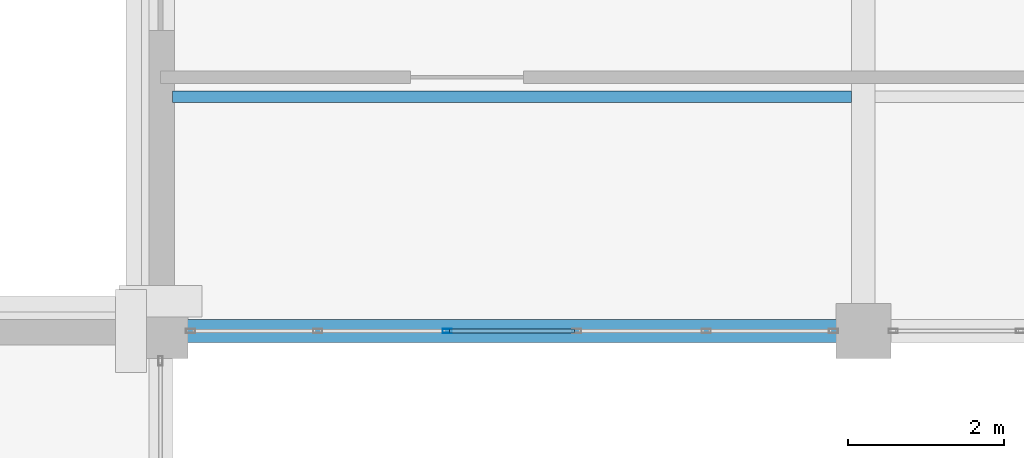
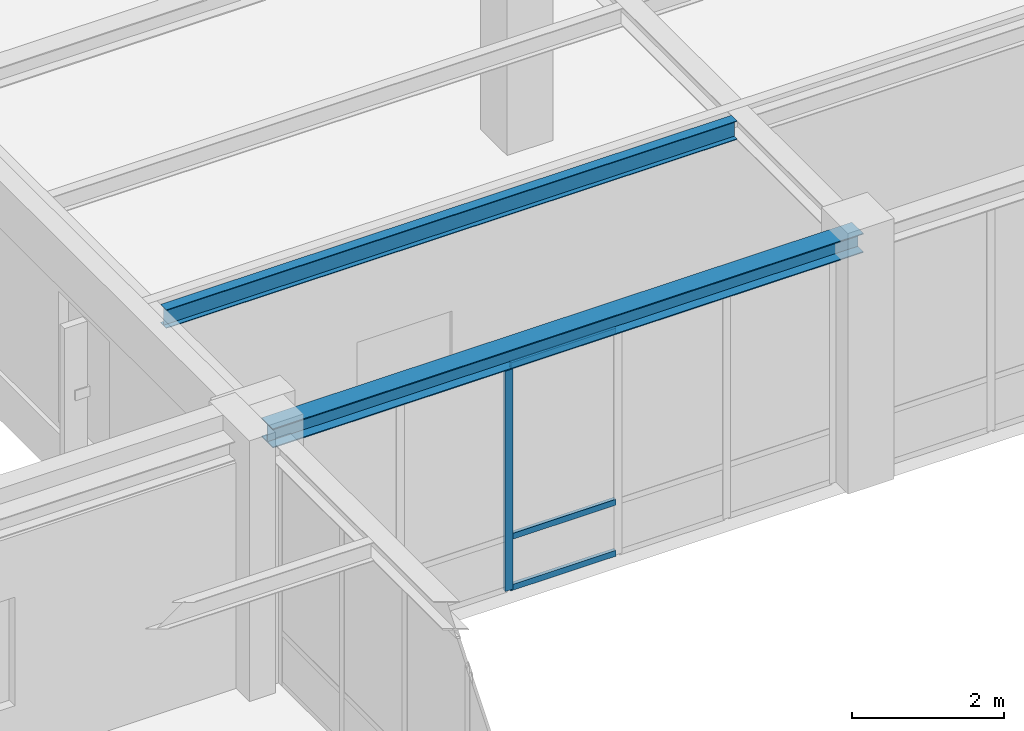
# One storey, part 66 of 108: 4 members, 2 beams, 1 element without a shape of its own.
"""IFC4 building model written with IfcOpenShell, lengths in metres."""

from ifc_helpers import new_model, si_unit, direction, frame, origin, origin_2d, place, context, subcontext, project, spatial, hollow_rectangle, i_section, extrude, material, material_profile, profile_set, type_object, element, aggregate, save


model = new_model("IFC4")

# Units and contexts
model_context = context("Model", 3, precision=1e-05, world=origin(), true_north=direction((0.0, 1.0)))
body_context = subcontext(model_context, "Body", "Model", "MODEL_VIEW")
ifc_project = project(units=[si_unit("LENGTHUNIT", "METRE"), si_unit("AREAUNIT", "SQUARE_METRE"), si_unit("VOLUMEUNIT", "CUBIC_METRE"), si_unit("PLANEANGLEUNIT", "RADIAN"), si_unit("MASSUNIT", "GRAM", prefix="KILO")], contexts=[model_context])

# Site, building, storey
site_placement = place(None, origin())
site = spatial("IfcSite", under=ifc_project, at=site_placement, CompositionType="ELEMENT")
building_placement = place(site_placement, origin())
building = spatial("IfcBuilding", under=site, at=building_placement, Name="Lykobir Media Centre", CompositionType="ELEMENT")
storey_placement = place(building_placement, frame((0.0, 0.0, 15.0)))
storey = spatial("IfcBuildingStorey", under=building, at=storey_placement, Name="L03", CompositionType="ELEMENT", Elevation=15.0)

# Curtain wall, members
ifc_material_1 = material(Name="Anodized Aluminium AW-6060", Category="aluminium")
curtain_wall_type = type_object("IfcCurtainWallType", Name="CW-COURT-B", PredefinedType="NOTDEFINED", material=ifc_material_1)
curtain_wall_placement = place(storey_placement, origin())
curtain_wall = element("IfcCurtainWall", 1, at=curtain_wall_placement, inside=storey, type_object=curtain_wall_type, Name="Curtain wall CW2-L03-0146", PredefinedType="NOTDEFINED")
ifc_material_profile_1 = material_profile(ifc_material_1, hollow_rectangle(XDim=0.054931640625, YDim=0.1201171875, WallThickness=0.003173828125, at=origin_2d()), Name="ALU MULLION 55x120")
ifc_profile_set_1 = profile_set([ifc_material_profile_1], Name="Anodized Aluminium AW-6060")
member_type_1 = type_object("IfcMemberType", Name="CWM-120", PredefinedType="MULLION", material=ifc_profile_set_1)
member_1_placement = place(storey_placement, frame((102.6708984375, 72.0, 0.0), z_axis=(0.0, 0.0, 1.0), x_axis=(0.0, -1.0, 0.0)))
member_1 = element("IfcMember", 2, at=member_1_placement, type_object=member_type_1, Name="CW2-L03-0146 mullion 4", PredefinedType="MULLION", context=body_context, shape_type="SweptSolid", body=[
    extrude(hollow_rectangle(XDim=0.054931640625, YDim=0.1201171875, WallThickness=0.003173828125, at=origin_2d()), origin(), (0.0, 0.0, 1.0), 3.635009765625),
])
ifc_material_profile_2 = material_profile(ifc_material_1, hollow_rectangle(XDim=0.054931640625, YDim=0.094970703125, WallThickness=0.0029296875, at=origin_2d()), Name="ALU TRANSOM 55x95")
ifc_profile_set_2 = profile_set([ifc_material_profile_2], Name="Anodized Aluminium AW-6060")
member_type_2 = type_object("IfcMemberType", Name="CWT-095", PredefinedType="USERDEFINED", material=ifc_profile_set_2)
member_2_placement = place(storey_placement, frame((104.301513671875, 72.0, 0.027587890625), z_axis=(-1.0, 0.0, 0.0), x_axis=(0.0, -1.0, 0.0)))
member_2 = element("IfcMember", 3, at=member_2_placement, type_object=member_type_2, Name="CW2-L03-0146 transom 3.1", ObjectType="TRANSOM", PredefinedType="USERDEFINED", context=body_context, shape_type="SweptSolid", body=[
    extrude(hollow_rectangle(XDim=0.054931640625, YDim=0.094970703125, WallThickness=0.0029296875, at=origin_2d()), origin(), (0.0, 0.0, 1.0), 1.60302734375),
])
member_3_placement = place(storey_placement, frame((104.301513671875, 72.0, 0.85009765625), z_axis=(-1.0, 0.0, 0.0), x_axis=(0.0, -1.0, 0.0)))
member_3 = element("IfcMember", 4, at=member_3_placement, type_object=member_type_2, Name="CW2-L03-0146 transom 3.2", ObjectType="TRANSOM", PredefinedType="USERDEFINED", context=body_context, shape_type="SweptSolid", body=[
    extrude(hollow_rectangle(XDim=0.054931640625, YDim=0.094970703125, WallThickness=0.0029296875, at=origin_2d()), origin(), (0.0, 0.0, 1.0), 1.60302734375),
])
member_4_placement = place(storey_placement, frame((104.301513671875, 72.0, 3.607421875), z_axis=(-1.0, 0.0, 0.0), x_axis=(0.0, -1.0, 0.0)))
member_4 = element("IfcMember", 5, at=member_4_placement, type_object=member_type_2, Name="CW2-L03-0146 transom 3.3", ObjectType="TRANSOM", PredefinedType="USERDEFINED", context=body_context, shape_type="SweptSolid", body=[
    extrude(hollow_rectangle(XDim=0.054931640625, YDim=0.094970703125, WallThickness=0.0029296875, at=origin_2d()), origin(), (0.0, 0.0, 1.0), 1.60302734375),
])
aggregate(curtain_wall, [member_1, member_2, member_3, member_4])

# Beams
ifc_material_2 = material(Name="Steel S355", Category="steel")
ifc_material_profile_3 = material_profile(ifc_material_2, i_section(OverallWidth=0.14990234375, OverallDepth=0.300048828125, WebThickness=0.007080078125, FlangeThickness=0.0107421875, at=origin_2d()), Name="IPE 300")
ifc_profile_set_3 = profile_set([ifc_material_profile_3], Name="Steel S355")
beam_type_1 = type_object("IfcBeamType", Name="JS-IPE300", PredefinedType="JOIST", material=ifc_profile_set_3)
beam_1_placement = place(storey_placement, frame((99.14990234375, 75.0, 3.81005859375), z_axis=(1.0, 0.0, 0.0), x_axis=(0.0, 1.0, 0.0)))
element("IfcBeam", 6, at=beam_1_placement, inside=storey, type_object=beam_type_1, Name="Beam BM-L03-0992-0750-1078-0750-1881", PredefinedType="JOIST", context=body_context, shape_type="SweptSolid", body=[
    extrude(i_section(OverallWidth=0.14990234375, OverallDepth=0.300048828125, WebThickness=0.007080078125, FlangeThickness=0.0107421875, at=origin_2d()), origin(), (0.0, 0.0, 1.0), 8.7001953125),
])
ifc_material_profile_4 = material_profile(ifc_material_2, i_section(OverallWidth=0.300048828125, OverallDepth=0.31005859375, WebThickness=0.009033203125, FlangeThickness=0.015380859375, at=origin_2d()), Name="HEA 320")
ifc_profile_set_4 = profile_set([ifc_material_profile_4], Name="Steel S355")
beam_type_2 = type_object("IfcBeamType", Name="SP-HEA320", PredefinedType="SPANDREL", material=ifc_profile_set_4)
beam_2_placement = place(storey_placement, frame((99.0, 72.0, 3.804931640625), z_axis=(1.0, 0.0, 0.0), x_axis=(0.0, 1.0, 0.0)))
element("IfcBeam", 7, at=beam_2_placement, inside=storey, type_object=beam_type_2, Name="Beam BM-L03-0990-0720-1080-0720-1880", PredefinedType="SPANDREL", context=body_context, shape_type="SweptSolid", body=[
    extrude(i_section(OverallWidth=0.300048828125, OverallDepth=0.31005859375, WebThickness=0.009033203125, FlangeThickness=0.015380859375, at=origin_2d()), origin(), (0.0, 0.0, 1.0), 9.0),
])

save(model, "model.ifc")
